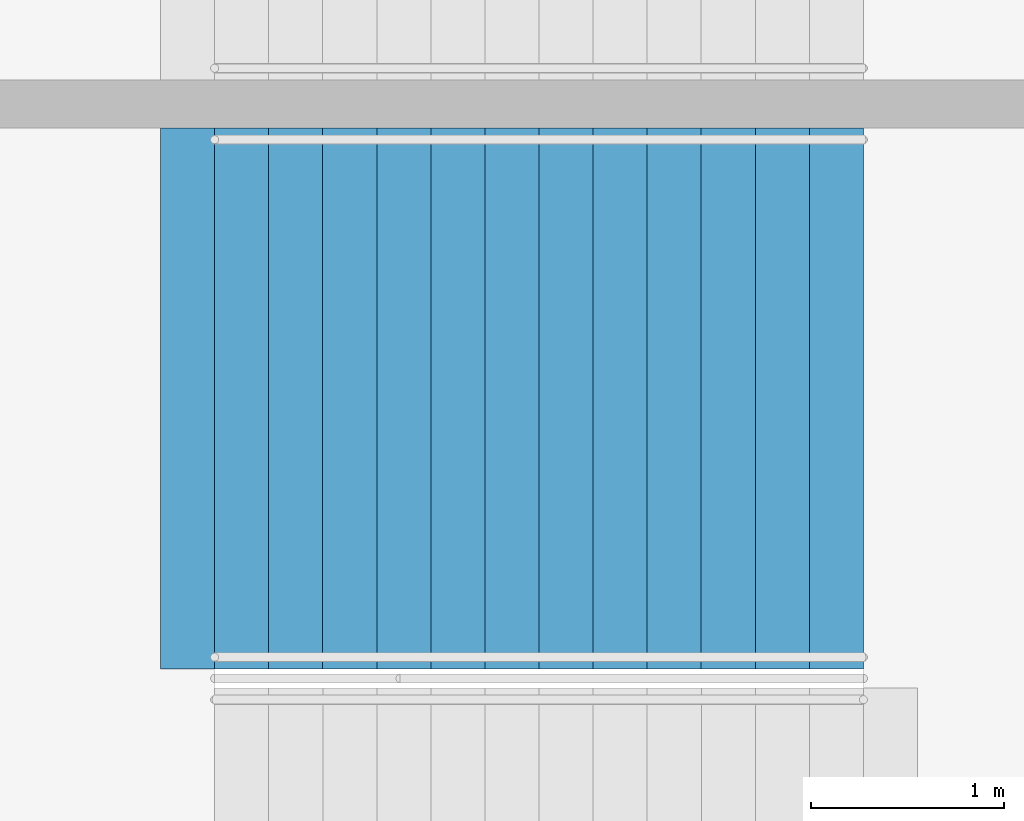
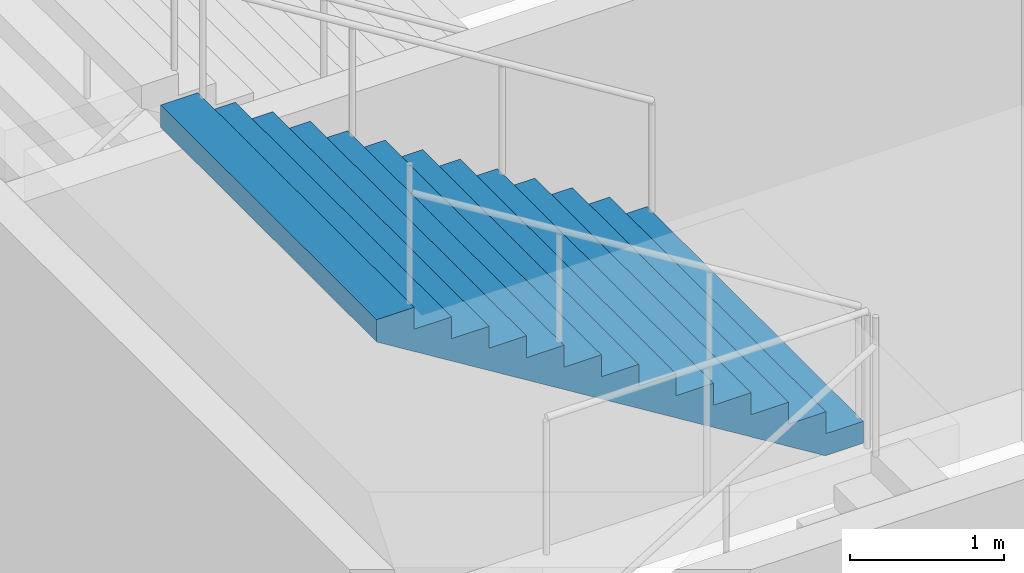
# One storey, part 175 of 199: 1 stair flight, 1 element without a shape of its own.
"""IFC4 building model written with IfcOpenShell, lengths in metres."""

from ifc_helpers import new_model, si_unit, direction, frame, origin, place, context, subcontext, project, spatial, faceted_brep, material, type_object, element, aggregate, save


model = new_model("IFC4")

# Units and contexts
model_context = context("Model", 3, precision=1e-05, world=origin(), true_north=direction((0.0, 1.0)))
body_context = subcontext(model_context, "Body", "Model", "MODEL_VIEW")
ifc_project = project(units=[si_unit("LENGTHUNIT", "METRE"), si_unit("AREAUNIT", "SQUARE_METRE"), si_unit("VOLUMEUNIT", "CUBIC_METRE"), si_unit("PLANEANGLEUNIT", "RADIAN"), si_unit("MASSUNIT", "GRAM", prefix="KILO")], contexts=[model_context])

# Site, building, storey
site_placement = place(None, origin())
site = spatial("IfcSite", under=ifc_project, at=site_placement, CompositionType="ELEMENT")
building_placement = place(site_placement, origin())
building = spatial("IfcBuilding", under=site, at=building_placement, Name="Ogive Plaza Stadium", CompositionType="ELEMENT")
storey_placement = place(building_placement, frame((0.0, 0.0, 4.5)))
storey = spatial("IfcBuildingStorey", under=building, at=storey_placement, Name="L01", CompositionType="ELEMENT", Elevation=4.5)

# Stair, stair flight
ifc_material_1 = material(Name="Concrete C40/50", Category="concrete")
stair_type = type_object("IfcStairType", Name="Exit stair", PredefinedType="STRAIGHT_RUN_STAIR", material=ifc_material_1)
stair_placement = place(storey_placement, origin())
stair = element("IfcStair", 1, at=stair_placement, inside=storey, type_object=stair_type, Name="Exit stair ST02A L01 to L02", PredefinedType="STRAIGHT_RUN_STAIR")
ifc_material_2 = material(Name="Concrete C40/50", Category="concrete")
stair_flight_type = type_object("IfcStairFlightType", Name="Exit stair flight", PredefinedType="STRAIGHT", material=ifc_material_2)
stair_flight_placement = place(storey_placement, frame((79.7099609375, 35.97509765625, 2.25), z_axis=(0.0, 0.0, 1.0), x_axis=(-1.0, 0.0, 0.0)))
stair_flight = element("IfcStairFlight", 2, at=stair_flight_placement, type_object=stair_flight_type, Name="ST02A flight 2", NumberOfRisers=13, NumberOfTreads=12, PredefinedType="STRAIGHT", RiserHeight=0.173076923, TreadLength=0.28, context=body_context, shape_type="Brep", body=[
    faceted_brep([(0.28515625, -1.39990234375, 0.0), (3.639892578125, -1.39990234375, 2.07373046875), (3.639892578125, -1.39990234375, 2.25), (3.360107421875, -1.39990234375, 2.25), (3.360107421875, -1.39990234375, 2.076904296875), (3.080078125, -1.39990234375, 2.076904296875), (3.080078125, -1.39990234375, 1.90380859375), (2.800048828125, -1.39990234375, 1.90380859375), (2.800048828125, -1.39990234375, 1.730712890625), (2.52001953125, -1.39990234375, 1.730712890625), (2.52001953125, -1.39990234375, 1.5576171875), (2.239990234375, -1.39990234375, 1.5576171875), (2.239990234375, -1.39990234375, 1.384521484375), (1.9599609375, -1.39990234375, 1.384521484375), (1.9599609375, -1.39990234375, 1.21142578125), (1.679931640625, -1.39990234375, 1.21142578125), (1.679931640625, -1.39990234375, 1.03857421875), (1.39990234375, -1.39990234375, 1.03857421875), (1.39990234375, -1.39990234375, 0.865478515625), (1.1201171875, -1.39990234375, 0.865478515625), (1.1201171875, -1.39990234375, 0.6923828125), (0.840087890625, -1.39990234375, 0.6923828125), (0.840087890625, -1.39990234375, 0.519287109375), (0.56005859375, -1.39990234375, 0.519287109375), (0.56005859375, -1.39990234375, 0.34619140625), (0.280029296875, -1.39990234375, 0.34619140625), (0.280029296875, -1.39990234375, 0.173095703125), (0.0, -1.39990234375, 0.173095703125), (0.0, -1.39990234375, 0.0), (0.0, 1.39990234375, 0.0), (0.0, 1.39990234375, 0.173095703125), (0.280029296875, 1.39990234375, 0.173095703125), (0.280029296875, 1.39990234375, 0.34619140625), (0.56005859375, 1.39990234375, 0.34619140625), (0.56005859375, 1.39990234375, 0.519287109375), (0.840087890625, 1.39990234375, 0.519287109375), (0.840087890625, 1.39990234375, 0.6923828125), (1.1201171875, 1.39990234375, 0.6923828125), (1.1201171875, 1.39990234375, 0.865478515625), (1.39990234375, 1.39990234375, 0.865478515625), (1.39990234375, 1.39990234375, 1.03857421875), (1.679931640625, 1.39990234375, 1.03857421875), (1.679931640625, 1.39990234375, 1.21142578125), (1.9599609375, 1.39990234375, 1.21142578125), (1.9599609375, 1.39990234375, 1.384521484375), (2.239990234375, 1.39990234375, 1.384521484375), (2.239990234375, 1.39990234375, 1.5576171875), (2.52001953125, 1.39990234375, 1.5576171875), (2.52001953125, 1.39990234375, 1.730712890625), (2.800048828125, 1.39990234375, 1.730712890625), (2.800048828125, 1.39990234375, 1.90380859375), (3.080078125, 1.39990234375, 1.90380859375), (3.080078125, 1.39990234375, 2.076904296875), (3.360107421875, 1.39990234375, 2.076904296875), (3.360107421875, 1.39990234375, 2.25), (3.639892578125, 1.39990234375, 2.25), (3.639892578125, 1.39990234375, 2.07373046875), (0.28515625, 1.39990234375, 0.0), (0.28515625, -1.0888671875, 0.0), (3.639892578125, -1.0888671875, 2.07373046875), (0.28515625, -0.77783203125, 0.0), (3.639892578125, -0.77783203125, 2.07373046875), (0.28515625, -0.466796875, 0.0), (3.639892578125, -0.466796875, 2.07373046875), (0.28515625, -0.155517578125, 0.0), (3.639892578125, -0.155517578125, 2.07373046875), (0.28515625, 0.155517578125, 0.0), (3.639892578125, 0.155517578125, 2.07373046875), (0.28515625, 0.466796875, 0.0), (3.639892578125, 0.466796875, 2.07373046875), (0.28515625, 0.77783203125, 0.0), (3.639892578125, 0.77783203125, 2.07373046875), (0.28515625, 1.0888671875, 0.0), (3.639892578125, 1.0888671875, 2.07373046875), (3.639892578125, -1.0888671875, 2.25), (3.639892578125, -0.77783203125, 2.25), (3.639892578125, -0.466796875, 2.25), (3.639892578125, -0.155517578125, 2.25), (3.639892578125, 0.155517578125, 2.25), (3.639892578125, 0.466796875, 2.25), (3.639892578125, 0.77783203125, 2.25), (3.639892578125, 1.0888671875, 2.25), (3.360107421875, -1.0888671875, 2.25), (3.360107421875, -0.77783203125, 2.25), (3.360107421875, -0.466796875, 2.25), (3.360107421875, -0.155517578125, 2.25), (3.360107421875, 0.155517578125, 2.25), (3.360107421875, 0.466796875, 2.25), (3.360107421875, 0.77783203125, 2.25), (3.360107421875, 1.0888671875, 2.25), (3.360107421875, -1.0888671875, 2.076904296875), (3.360107421875, -0.77783203125, 2.076904296875), (3.360107421875, -0.466796875, 2.076904296875), (3.360107421875, -0.155517578125, 2.076904296875), (3.360107421875, 0.155517578125, 2.076904296875), (3.360107421875, 0.466796875, 2.076904296875), (3.360107421875, 0.77783203125, 2.076904296875), (3.360107421875, 1.0888671875, 2.076904296875), (3.080078125, -1.0888671875, 2.076904296875), (3.080078125, -0.77783203125, 2.076904296875), (3.080078125, -0.466796875, 2.076904296875), (3.080078125, -0.155517578125, 2.076904296875), (3.080078125, 0.155517578125, 2.076904296875), (3.080078125, 0.466796875, 2.076904296875), (3.080078125, 0.77783203125, 2.076904296875), (3.080078125, 1.0888671875, 2.076904296875), (3.080078125, -1.0888671875, 1.90380859375), (3.080078125, -0.77783203125, 1.90380859375), (3.080078125, -0.466796875, 1.90380859375), (3.080078125, -0.155517578125, 1.90380859375), (3.080078125, 0.155517578125, 1.90380859375), (3.080078125, 0.466796875, 1.90380859375), (3.080078125, 0.77783203125, 1.90380859375), (3.080078125, 1.0888671875, 1.90380859375), (2.800048828125, -1.0888671875, 1.90380859375), (2.800048828125, -0.77783203125, 1.90380859375), (2.800048828125, -0.466796875, 1.90380859375), (2.800048828125, -0.155517578125, 1.90380859375), (2.800048828125, 0.155517578125, 1.90380859375), (2.800048828125, 0.466796875, 1.90380859375), (2.800048828125, 0.77783203125, 1.90380859375), (2.800048828125, 1.0888671875, 1.90380859375), (2.800048828125, -1.0888671875, 1.730712890625), (2.800048828125, -0.77783203125, 1.730712890625), (2.800048828125, -0.466796875, 1.730712890625), (2.800048828125, -0.155517578125, 1.730712890625), (2.800048828125, 0.155517578125, 1.730712890625), (2.800048828125, 0.466796875, 1.730712890625), (2.800048828125, 0.77783203125, 1.730712890625), (2.800048828125, 1.0888671875, 1.730712890625), (2.52001953125, -1.0888671875, 1.730712890625), (2.52001953125, -0.77783203125, 1.730712890625), (2.52001953125, -0.466796875, 1.730712890625), (2.52001953125, -0.155517578125, 1.730712890625), (2.52001953125, 0.155517578125, 1.730712890625), (2.52001953125, 0.466796875, 1.730712890625), (2.52001953125, 0.77783203125, 1.730712890625), (2.52001953125, 1.0888671875, 1.730712890625), (2.52001953125, -1.0888671875, 1.5576171875), (2.52001953125, -0.77783203125, 1.5576171875), (2.52001953125, -0.466796875, 1.5576171875), (2.52001953125, -0.155517578125, 1.5576171875), (2.52001953125, 0.155517578125, 1.5576171875), (2.52001953125, 0.466796875, 1.5576171875), (2.52001953125, 0.77783203125, 1.5576171875), (2.52001953125, 1.0888671875, 1.5576171875), (2.239990234375, -1.0888671875, 1.5576171875), (2.239990234375, -0.77783203125, 1.5576171875), (2.239990234375, -0.466796875, 1.5576171875), (2.239990234375, -0.155517578125, 1.5576171875), (2.239990234375, 0.155517578125, 1.5576171875), (2.239990234375, 0.466796875, 1.5576171875), (2.239990234375, 0.77783203125, 1.5576171875), (2.239990234375, 1.0888671875, 1.5576171875), (2.239990234375, -1.0888671875, 1.384521484375), (2.239990234375, -0.77783203125, 1.384521484375), (2.239990234375, -0.466796875, 1.384521484375), (2.239990234375, -0.155517578125, 1.384521484375), (2.239990234375, 0.155517578125, 1.384521484375), (2.239990234375, 0.466796875, 1.384521484375), (2.239990234375, 0.77783203125, 1.384521484375), (2.239990234375, 1.0888671875, 1.384521484375), (1.9599609375, -1.0888671875, 1.384521484375), (1.9599609375, -0.77783203125, 1.384521484375), (1.9599609375, -0.466796875, 1.384521484375), (1.9599609375, -0.155517578125, 1.384521484375), (1.9599609375, 0.155517578125, 1.384521484375), (1.9599609375, 0.466796875, 1.384521484375), (1.9599609375, 0.77783203125, 1.384521484375), (1.9599609375, 1.0888671875, 1.384521484375), (1.9599609375, -1.0888671875, 1.21142578125), (1.9599609375, -0.77783203125, 1.21142578125), (1.9599609375, -0.466796875, 1.21142578125), (1.9599609375, -0.155517578125, 1.21142578125), (1.9599609375, 0.155517578125, 1.21142578125), (1.9599609375, 0.466796875, 1.21142578125), (1.9599609375, 0.77783203125, 1.21142578125), (1.9599609375, 1.0888671875, 1.21142578125), (1.679931640625, -1.0888671875, 1.21142578125), (1.679931640625, -0.77783203125, 1.21142578125), (1.679931640625, -0.466796875, 1.21142578125), (1.679931640625, -0.155517578125, 1.21142578125), (1.679931640625, 0.155517578125, 1.21142578125), (1.679931640625, 0.466796875, 1.21142578125), (1.679931640625, 0.77783203125, 1.21142578125), (1.679931640625, 1.0888671875, 1.21142578125), (1.679931640625, -1.0888671875, 1.03857421875), (1.679931640625, -0.77783203125, 1.03857421875), (1.679931640625, -0.466796875, 1.03857421875), (1.679931640625, -0.155517578125, 1.03857421875), (1.679931640625, 0.155517578125, 1.03857421875), (1.679931640625, 0.466796875, 1.03857421875), (1.679931640625, 0.77783203125, 1.03857421875), (1.679931640625, 1.0888671875, 1.03857421875), (1.39990234375, -1.0888671875, 1.03857421875), (1.39990234375, -0.77783203125, 1.03857421875), (1.39990234375, -0.466796875, 1.03857421875), (1.39990234375, -0.155517578125, 1.03857421875), (1.39990234375, 0.155517578125, 1.03857421875), (1.39990234375, 0.466796875, 1.03857421875), (1.39990234375, 0.77783203125, 1.03857421875), (1.39990234375, 1.0888671875, 1.03857421875), (1.39990234375, -1.0888671875, 0.865478515625), (1.39990234375, -0.77783203125, 0.865478515625), (1.39990234375, -0.466796875, 0.865478515625), (1.39990234375, -0.155517578125, 0.865478515625), (1.39990234375, 0.155517578125, 0.865478515625), (1.39990234375, 0.466796875, 0.865478515625), (1.39990234375, 0.77783203125, 0.865478515625), (1.39990234375, 1.0888671875, 0.865478515625), (1.1201171875, -1.0888671875, 0.865478515625), (1.1201171875, -0.77783203125, 0.865478515625), (1.1201171875, -0.466796875, 0.865478515625), (1.1201171875, -0.155517578125, 0.865478515625), (1.1201171875, 0.155517578125, 0.865478515625), (1.1201171875, 0.466796875, 0.865478515625), (1.1201171875, 0.77783203125, 0.865478515625), (1.1201171875, 1.0888671875, 0.865478515625), (1.1201171875, -1.0888671875, 0.6923828125), (1.1201171875, -0.77783203125, 0.6923828125), (1.1201171875, -0.466796875, 0.6923828125), (1.1201171875, -0.155517578125, 0.6923828125), (1.1201171875, 0.155517578125, 0.6923828125), (1.1201171875, 0.466796875, 0.6923828125), (1.1201171875, 0.77783203125, 0.6923828125), (1.1201171875, 1.0888671875, 0.6923828125), (0.840087890625, -1.0888671875, 0.6923828125), (0.840087890625, -0.77783203125, 0.6923828125), (0.840087890625, -0.466796875, 0.6923828125), (0.840087890625, -0.155517578125, 0.6923828125), (0.840087890625, 0.155517578125, 0.6923828125), (0.840087890625, 0.466796875, 0.6923828125), (0.840087890625, 0.77783203125, 0.6923828125), (0.840087890625, 1.0888671875, 0.6923828125), (0.840087890625, -1.0888671875, 0.519287109375), (0.840087890625, -0.77783203125, 0.519287109375), (0.840087890625, -0.466796875, 0.519287109375), (0.840087890625, -0.155517578125, 0.519287109375), (0.840087890625, 0.155517578125, 0.519287109375), (0.840087890625, 0.466796875, 0.519287109375), (0.840087890625, 0.77783203125, 0.519287109375), (0.840087890625, 1.0888671875, 0.519287109375), (0.56005859375, -1.0888671875, 0.519287109375), (0.56005859375, -0.77783203125, 0.519287109375), (0.56005859375, -0.466796875, 0.519287109375), (0.56005859375, -0.155517578125, 0.519287109375), (0.56005859375, 0.155517578125, 0.519287109375), (0.56005859375, 0.466796875, 0.519287109375), (0.56005859375, 0.77783203125, 0.519287109375), (0.56005859375, 1.0888671875, 0.519287109375), (0.56005859375, -1.0888671875, 0.34619140625), (0.56005859375, -0.77783203125, 0.34619140625), (0.56005859375, -0.466796875, 0.34619140625), (0.56005859375, -0.155517578125, 0.34619140625), (0.56005859375, 0.155517578125, 0.34619140625), (0.56005859375, 0.466796875, 0.34619140625), (0.56005859375, 0.77783203125, 0.34619140625), (0.56005859375, 1.0888671875, 0.34619140625), (0.280029296875, -1.0888671875, 0.34619140625), (0.280029296875, -0.77783203125, 0.34619140625), (0.280029296875, -0.466796875, 0.34619140625), (0.280029296875, -0.155517578125, 0.34619140625), (0.280029296875, 0.155517578125, 0.34619140625), (0.280029296875, 0.466796875, 0.34619140625), (0.280029296875, 0.77783203125, 0.34619140625), (0.280029296875, 1.0888671875, 0.34619140625), (0.280029296875, -1.0888671875, 0.173095703125), (0.280029296875, -0.77783203125, 0.173095703125), (0.280029296875, -0.466796875, 0.173095703125), (0.280029296875, -0.155517578125, 0.173095703125), (0.280029296875, 0.155517578125, 0.173095703125), (0.280029296875, 0.466796875, 0.173095703125), (0.280029296875, 0.77783203125, 0.173095703125), (0.280029296875, 1.0888671875, 0.173095703125), (0.0, -1.0888671875, 0.173095703125), (0.0, -0.77783203125, 0.173095703125), (0.0, -0.466796875, 0.173095703125), (0.0, -0.155517578125, 0.173095703125), (0.0, 0.155517578125, 0.173095703125), (0.0, 0.466796875, 0.173095703125), (0.0, 0.77783203125, 0.173095703125), (0.0, 1.0888671875, 0.173095703125), (0.0, -1.0888671875, 0.0), (0.0, -0.77783203125, 0.0), (0.0, -0.466796875, 0.0), (0.0, -0.155517578125, 0.0), (0.0, 0.155517578125, 0.0), (0.0, 0.466796875, 0.0), (0.0, 0.77783203125, 0.0), (0.0, 1.0888671875, 0.0)], [[[0, 1, 2, 3, 4, 5, 6, 7, 8, 9, 10, 11, 12, 13, 14, 15, 16, 17, 18, 19, 20, 21, 22, 23, 24, 25, 26, 27, 28]], [[29, 30, 31, 32, 33, 34, 35, 36, 37, 38, 39, 40, 41, 42, 43, 44, 45, 46, 47, 48, 49, 50, 51, 52, 53, 54, 55, 56, 57]], [[0, 58, 59, 1]], [[58, 60, 61, 59]], [[60, 62, 63, 61]], [[62, 64, 65, 63]], [[64, 66, 67, 65]], [[66, 68, 69, 67]], [[68, 70, 71, 69]], [[70, 72, 73, 71]], [[72, 57, 56, 73]], [[1, 59, 74, 2]], [[59, 61, 75, 74]], [[61, 63, 76, 75]], [[63, 65, 77, 76]], [[65, 67, 78, 77]], [[67, 69, 79, 78]], [[69, 71, 80, 79]], [[71, 73, 81, 80]], [[73, 56, 55, 81]], [[2, 74, 82, 3]], [[74, 75, 83, 82]], [[75, 76, 84, 83]], [[76, 77, 85, 84]], [[77, 78, 86, 85]], [[78, 79, 87, 86]], [[79, 80, 88, 87]], [[80, 81, 89, 88]], [[81, 55, 54, 89]], [[3, 82, 90, 4]], [[82, 83, 91, 90]], [[83, 84, 92, 91]], [[84, 85, 93, 92]], [[85, 86, 94, 93]], [[86, 87, 95, 94]], [[87, 88, 96, 95]], [[88, 89, 97, 96]], [[89, 54, 53, 97]], [[4, 90, 98, 5]], [[90, 91, 99, 98]], [[91, 92, 100, 99]], [[92, 93, 101, 100]], [[93, 94, 102, 101]], [[94, 95, 103, 102]], [[95, 96, 104, 103]], [[96, 97, 105, 104]], [[97, 53, 52, 105]], [[5, 98, 106, 6]], [[98, 99, 107, 106]], [[99, 100, 108, 107]], [[100, 101, 109, 108]], [[101, 102, 110, 109]], [[102, 103, 111, 110]], [[103, 104, 112, 111]], [[104, 105, 113, 112]], [[105, 52, 51, 113]], [[6, 106, 114, 7]], [[106, 107, 115, 114]], [[107, 108, 116, 115]], [[108, 109, 117, 116]], [[109, 110, 118, 117]], [[110, 111, 119, 118]], [[111, 112, 120, 119]], [[112, 113, 121, 120]], [[113, 51, 50, 121]], [[7, 114, 122, 8]], [[114, 115, 123, 122]], [[115, 116, 124, 123]], [[116, 117, 125, 124]], [[117, 118, 126, 125]], [[118, 119, 127, 126]], [[119, 120, 128, 127]], [[120, 121, 129, 128]], [[121, 50, 49, 129]], [[8, 122, 130, 9]], [[122, 123, 131, 130]], [[123, 124, 132, 131]], [[124, 125, 133, 132]], [[125, 126, 134, 133]], [[126, 127, 135, 134]], [[127, 128, 136, 135]], [[128, 129, 137, 136]], [[129, 49, 48, 137]], [[9, 130, 138, 10]], [[130, 131, 139, 138]], [[131, 132, 140, 139]], [[132, 133, 141, 140]], [[133, 134, 142, 141]], [[134, 135, 143, 142]], [[135, 136, 144, 143]], [[136, 137, 145, 144]], [[137, 48, 47, 145]], [[10, 138, 146, 11]], [[138, 139, 147, 146]], [[139, 140, 148, 147]], [[140, 141, 149, 148]], [[141, 142, 150, 149]], [[142, 143, 151, 150]], [[143, 144, 152, 151]], [[144, 145, 153, 152]], [[145, 47, 46, 153]], [[11, 146, 154, 12]], [[146, 147, 155, 154]], [[147, 148, 156, 155]], [[148, 149, 157, 156]], [[149, 150, 158, 157]], [[150, 151, 159, 158]], [[151, 152, 160, 159]], [[152, 153, 161, 160]], [[153, 46, 45, 161]], [[12, 154, 162, 13]], [[154, 155, 163, 162]], [[155, 156, 164, 163]], [[156, 157, 165, 164]], [[157, 158, 166, 165]], [[158, 159, 167, 166]], [[159, 160, 168, 167]], [[160, 161, 169, 168]], [[161, 45, 44, 169]], [[13, 162, 170, 14]], [[162, 163, 171, 170]], [[163, 164, 172, 171]], [[164, 165, 173, 172]], [[165, 166, 174, 173]], [[166, 167, 175, 174]], [[167, 168, 176, 175]], [[168, 169, 177, 176]], [[169, 44, 43, 177]], [[14, 170, 178, 15]], [[170, 171, 179, 178]], [[171, 172, 180, 179]], [[172, 173, 181, 180]], [[173, 174, 182, 181]], [[174, 175, 183, 182]], [[175, 176, 184, 183]], [[176, 177, 185, 184]], [[177, 43, 42, 185]], [[15, 178, 186, 16]], [[178, 179, 187, 186]], [[179, 180, 188, 187]], [[180, 181, 189, 188]], [[181, 182, 190, 189]], [[182, 183, 191, 190]], [[183, 184, 192, 191]], [[184, 185, 193, 192]], [[185, 42, 41, 193]], [[16, 186, 194, 17]], [[186, 187, 195, 194]], [[187, 188, 196, 195]], [[188, 189, 197, 196]], [[189, 190, 198, 197]], [[190, 191, 199, 198]], [[191, 192, 200, 199]], [[192, 193, 201, 200]], [[193, 41, 40, 201]], [[17, 194, 202, 18]], [[194, 195, 203, 202]], [[195, 196, 204, 203]], [[196, 197, 205, 204]], [[197, 198, 206, 205]], [[198, 199, 207, 206]], [[199, 200, 208, 207]], [[200, 201, 209, 208]], [[201, 40, 39, 209]], [[18, 202, 210, 19]], [[202, 203, 211, 210]], [[203, 204, 212, 211]], [[204, 205, 213, 212]], [[205, 206, 214, 213]], [[206, 207, 215, 214]], [[207, 208, 216, 215]], [[208, 209, 217, 216]], [[209, 39, 38, 217]], [[19, 210, 218, 20]], [[210, 211, 219, 218]], [[211, 212, 220, 219]], [[212, 213, 221, 220]], [[213, 214, 222, 221]], [[214, 215, 223, 222]], [[215, 216, 224, 223]], [[216, 217, 225, 224]], [[217, 38, 37, 225]], [[20, 218, 226, 21]], [[218, 219, 227, 226]], [[219, 220, 228, 227]], [[220, 221, 229, 228]], [[221, 222, 230, 229]], [[222, 223, 231, 230]], [[223, 224, 232, 231]], [[224, 225, 233, 232]], [[225, 37, 36, 233]], [[21, 226, 234, 22]], [[226, 227, 235, 234]], [[227, 228, 236, 235]], [[228, 229, 237, 236]], [[229, 230, 238, 237]], [[230, 231, 239, 238]], [[231, 232, 240, 239]], [[232, 233, 241, 240]], [[233, 36, 35, 241]], [[22, 234, 242, 23]], [[234, 235, 243, 242]], [[235, 236, 244, 243]], [[236, 237, 245, 244]], [[237, 238, 246, 245]], [[238, 239, 247, 246]], [[239, 240, 248, 247]], [[240, 241, 249, 248]], [[241, 35, 34, 249]], [[23, 242, 250, 24]], [[242, 243, 251, 250]], [[243, 244, 252, 251]], [[244, 245, 253, 252]], [[245, 246, 254, 253]], [[246, 247, 255, 254]], [[247, 248, 256, 255]], [[248, 249, 257, 256]], [[249, 34, 33, 257]], [[24, 250, 258, 25]], [[250, 251, 259, 258]], [[251, 252, 260, 259]], [[252, 253, 261, 260]], [[253, 254, 262, 261]], [[254, 255, 263, 262]], [[255, 256, 264, 263]], [[256, 257, 265, 264]], [[257, 33, 32, 265]], [[25, 258, 266, 26]], [[258, 259, 267, 266]], [[259, 260, 268, 267]], [[260, 261, 269, 268]], [[261, 262, 270, 269]], [[262, 263, 271, 270]], [[263, 264, 272, 271]], [[264, 265, 273, 272]], [[265, 32, 31, 273]], [[26, 266, 274, 27]], [[266, 267, 275, 274]], [[267, 268, 276, 275]], [[268, 269, 277, 276]], [[269, 270, 278, 277]], [[270, 271, 279, 278]], [[271, 272, 280, 279]], [[272, 273, 281, 280]], [[273, 31, 30, 281]], [[27, 274, 282, 28]], [[274, 275, 283, 282]], [[275, 276, 284, 283]], [[276, 277, 285, 284]], [[277, 278, 286, 285]], [[278, 279, 287, 286]], [[279, 280, 288, 287]], [[280, 281, 289, 288]], [[281, 30, 29, 289]], [[28, 282, 58, 0]], [[282, 283, 60, 58]], [[283, 284, 62, 60]], [[284, 285, 64, 62]], [[285, 286, 66, 64]], [[286, 287, 68, 66]], [[287, 288, 70, 68]], [[288, 289, 72, 70]], [[289, 29, 57, 72]]]),
])
aggregate(stair, [stair_flight])

save(model, "model.ifc")
